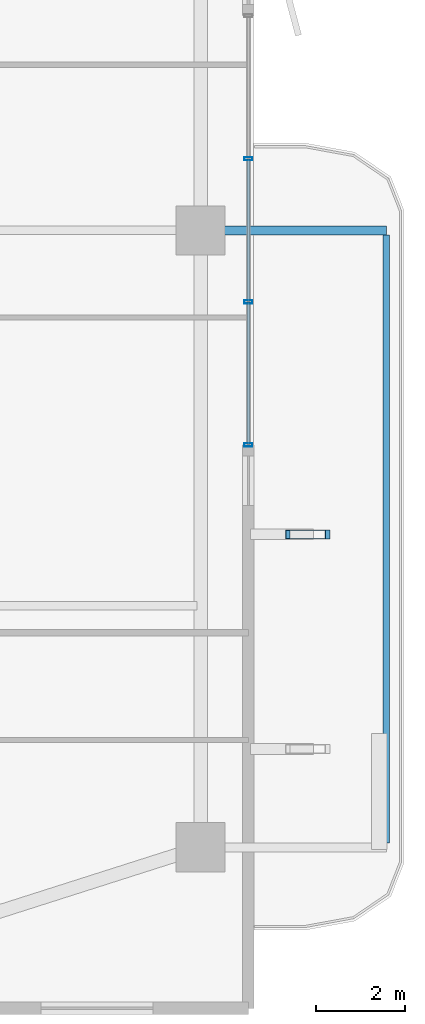
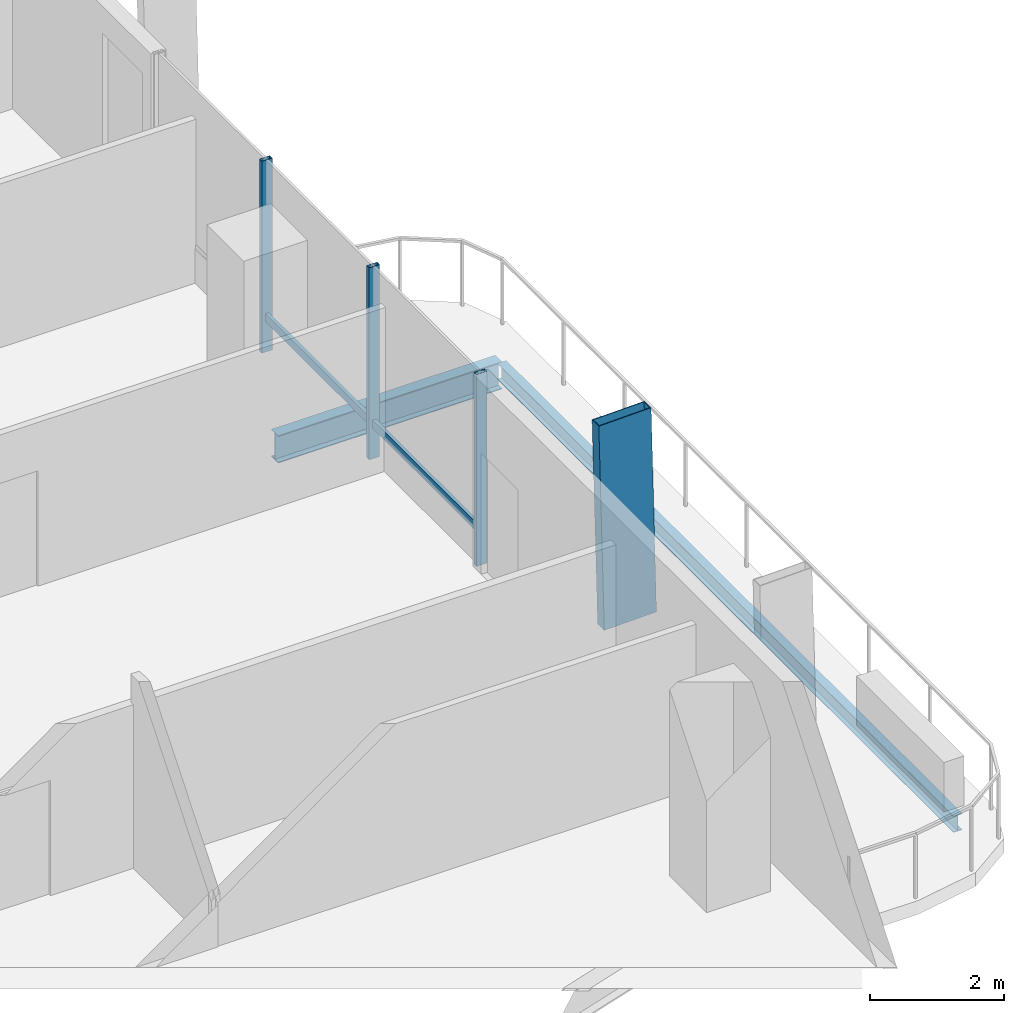
# One storey, part 10 of 25: 6 members, 2 beams, 1 element without a shape of its own.
"""IFC4 building model written with IfcOpenShell, lengths in metres."""

import ifcopenshell
import ifcopenshell.guid

model = None  # the IFC model being written
_history = None  # IfcOwnerHistory: only IFC2X3 demands one
_inside = {}  # id of a spatial element -> (the spatial element, [elements in it])
_under = {}  # id of a project, library or spatial element -> (it, [spatial elements below it])
_declared = {}  # id of a project -> (the project, [libraries it declares])
_typed = {}  # id of a type object -> (the type object, [elements of that type])
_made_of = {}  # id of a material, layer set ... -> (it, [elements and type objects made of it])


def new_model(schema):
    """Start an empty IFC model of exactly this schema.

    Asked for "IFC4X3", IfcOpenShell would pick the latest addendum, in which some entities
    have other attributes; the version numbers below select the first issue.
    IFC2X3 requires an IfcOwnerHistory on every rooted entity: one is made here for all.
    """
    global model, _history
    if schema == "IFC4X3":
        model = ifcopenshell.file(schema_version=(4, 3, 0, 0))
    else:
        model = ifcopenshell.file(schema=schema)
    _inside.clear()
    _under.clear()
    _declared.clear()
    _typed.clear()
    _made_of.clear()
    _history = None
    if model.schema == "IFC2X3":
        org = make("IfcOrganization", Name="unknown")
        user = make(
            "IfcPersonAndOrganization",
            ThePerson=make("IfcPerson", FamilyName="unknown"),
            TheOrganization=org,
        )
        app = make(
            "IfcApplication",
            ApplicationDeveloper=org,
            Version="unknown",
            ApplicationFullName="unknown",
            ApplicationIdentifier="unknown",
        )
        _history = make(
            "IfcOwnerHistory",
            OwningUser=user,
            OwningApplication=app,
            ChangeAction="ADDED",
            CreationDate=0,
        )
    return model


def make(cls, **values):
    """One entity of the class cls with the attributes given. An attribute that is None is left unset."""
    return model.create_entity(
        cls, **{name: value for name, value in values.items() if value is not None}
    )


def rooted(cls, **values):
    """An entity with a GlobalId (a new one), such as an element, a storey or a relation."""
    return make(cls, GlobalId=ifcopenshell.guid.new(), OwnerHistory=_history, **values)


def si_unit(unit_type, name, prefix=None):
    """IfcSIUnit, for example si_unit("LENGTHUNIT", "METRE", prefix="MILLI")."""
    return make("IfcSIUnit", UnitType=unit_type, Prefix=prefix, Name=name)


def assignment(units):
    """IfcUnitAssignment: the units of a project."""
    return None if units is None else make("IfcUnitAssignment", Units=units)


def point(xyz):
    """IfcCartesianPoint."""
    return None if xyz is None else make("IfcCartesianPoint", Coordinates=xyz)


def direction(xyz):
    """IfcDirection."""
    return None if xyz is None else make("IfcDirection", DirectionRatios=xyz)


def frame(location, z_axis=None, x_axis=None):
    """IfcAxis2Placement3D, a coordinate frame: its origin and axes. An axis left out is left unset."""
    return make(
        "IfcAxis2Placement3D",
        Location=point(location),
        Axis=direction(z_axis),
        RefDirection=direction(x_axis),
    )


def frame_2d(location, x_axis=None):
    """IfcAxis2Placement2D, a coordinate frame in the plane: its origin and x axis."""
    return make(
        "IfcAxis2Placement2D", Location=point(location), RefDirection=direction(x_axis)
    )


def origin():
    """The frame at (0, 0, 0) with its axes left unset."""
    return frame((0.0, 0.0, 0.0))


def origin_2d():
    """The frame at (0, 0) in the plane with its x axis left unset."""
    return frame_2d((0.0, 0.0))


def place(relative_to, where):
    """IfcLocalPlacement: puts the frame where relative to a parent placement (None: the world)."""
    return make(
        "IfcLocalPlacement", PlacementRelTo=relative_to, RelativePlacement=where
    )


def context(
    kind, dimensions, precision=None, world=None, true_north=None, identifier=None
):
    """IfcGeometricRepresentationContext, for example the 3D "Model" context."""
    return make(
        "IfcGeometricRepresentationContext",
        ContextIdentifier=identifier,
        ContextType=kind,
        CoordinateSpaceDimension=dimensions,
        Precision=precision,
        WorldCoordinateSystem=world,
        TrueNorth=true_north,
    )


def subcontext(parent, identifier, kind, view, scale=None):
    """IfcGeometricRepresentationSubContext, for example "Body" below "Model"."""
    return make(
        "IfcGeometricRepresentationSubContext",
        ContextIdentifier=identifier,
        ContextType=kind,
        ParentContext=parent,
        TargetScale=scale,
        TargetView=view,
    )


def project(units=None, contexts=None):
    """IfcProject with its units and contexts."""
    return rooted(
        "IfcProject",
        Name="project",
        RepresentationContexts=contexts,
        UnitsInContext=assignment(units),
    )


def spatial(cls, under=None, at=None, **own):
    """A site, building, storey or space (cls), placed at a placement, below another one or the project."""
    s = rooted(cls, ObjectPlacement=at, **own)
    if under is not None:
        _under.setdefault(under.id(), (under, []))[1].append(s)
    return s


def profile(cls, at=None, kind="AREA", **sizes):
    """A parametric profile (cls). Its sizes go by their IFC names, for example OverallWidth=200.0."""
    return make(cls, ProfileType=kind, Position=at, **sizes)


def hollow_rectangle(**sizes):
    """IfcRectangleHollowProfileDef."""
    return profile("IfcRectangleHollowProfileDef", **sizes)


def i_section(**sizes):
    """IfcIShapeProfileDef."""
    return profile("IfcIShapeProfileDef", **sizes)


def extrude(swept, where, along, depth):
    """IfcExtrudedAreaSolid: the profile swept, set in the frame where, extruded along a direction by depth."""
    return make(
        "IfcExtrudedAreaSolid",
        SweptArea=swept,
        Position=where,
        ExtrudedDirection=direction(along),
        Depth=depth,
    )


def shape(context_of_items, identifier, shape_type, items):
    """IfcShapeRepresentation: the items that make up one representation, for example the "Body"."""
    return make(
        "IfcShapeRepresentation",
        ContextOfItems=context_of_items,
        RepresentationIdentifier=identifier,
        RepresentationType=shape_type,
        Items=items,
    )


def material(Name=None, Category=None):
    """IfcMaterial."""
    return make("IfcMaterial", Name=Name, Category=Category)


def layer(
    of_material, thickness, ventilated=None, Name=None, Category=None, Priority=None
):
    """IfcMaterialLayer: one layer of a wall or slab, of a material (None: an air gap)."""
    return make(
        "IfcMaterialLayer",
        Material=of_material,
        LayerThickness=thickness,
        IsVentilated=ventilated,
        Name=Name,
        Category=Category,
        Priority=Priority,
    )


def layer_set(layers, Name=None):
    """IfcMaterialLayerSet."""
    return make("IfcMaterialLayerSet", MaterialLayers=layers, LayerSetName=Name)


def material_profile(
    of_material, cross_section, Name=None, Category=None, Priority=None
):
    """IfcMaterialProfile: a cross section and its material."""
    return make(
        "IfcMaterialProfile",
        Name=Name,
        Material=of_material,
        Profile=cross_section,
        Priority=Priority,
        Category=Category,
    )


def profile_set(profiles, Name=None, composite=None):
    """IfcMaterialProfileSet."""
    return make(
        "IfcMaterialProfileSet",
        Name=Name,
        MaterialProfiles=profiles,
        CompositeProfile=composite,
    )


def made_of(thing, what):
    """Note that an element or type object is made of a material, layer set ...; save() writes the relation."""
    if what is not None:
        _made_of.setdefault(what.id(), (what, []))[1].append(thing)
    return thing


def type_object(cls, material=None, **own):
    """A type object (cls), such as IfcWallType, which elements share."""
    return made_of(rooted(cls, **own), material)


def element(
    cls,
    number,
    at=None,
    inside=None,
    cuts=None,
    type_object=None,
    material=None,
    context=None,
    identifier="Body",
    shape_type=None,
    held_by="IfcProductDefinitionShape",
    body=None,
    shapes=None,
    **own,
):
    """One element of the class cls, such as IfcWall. Its Tag is "e" and its number.

    at: its placement. inside: the storey or other place that contains it. cuts: it is an
    opening in that element (IfcRelVoidsElement). A single representation is given by context,
    identifier, shape_type and body (its items); several are given by shapes. held_by: the class
    of the entity that holds the representations. save() writes the other relations.
    """
    e = rooted(cls, Tag="e%d" % number, ObjectPlacement=at, **own)
    if body is not None:
        shapes = [shape(context, identifier, shape_type, body)]
    if shapes is not None:
        e.Representation = make(held_by, Representations=shapes)
    if inside is not None:
        _inside.setdefault(inside.id(), (inside, []))[1].append(e)
    if cuts is not None:
        rooted(
            "IfcRelVoidsElement", RelatingBuildingElement=cuts, RelatedOpeningElement=e
        )
    if type_object is not None:
        _typed.setdefault(type_object.id(), (type_object, []))[1].append(e)
    return made_of(e, material)


def aggregate(whole, parts):
    """IfcRelAggregates: a whole, such as a stair, and the parts it consists of."""
    return rooted("IfcRelAggregates", RelatingObject=whole, RelatedObjects=parts)


def save(model, path):
    """Write the relations noted so far, then the file.

    IfcRelAggregates (storeys below a building ...), IfcRelContainedInSpatialStructure (elements
    in a storey), IfcRelDefinesByType, IfcRelAssociatesMaterial and IfcRelDeclares: one each for
    every whole, place, type object, material and project.
    """
    for whole, parts in _under.values():
        aggregate(whole, parts)
    for where, things in _inside.values():
        rooted(
            "IfcRelContainedInSpatialStructure",
            RelatedElements=things,
            RelatingStructure=where,
        )
    for kind, things in _typed.values():
        rooted("IfcRelDefinesByType", RelatedObjects=things, RelatingType=kind)
    for what, things in _made_of.values():
        rooted("IfcRelAssociatesMaterial", RelatedObjects=things, RelatingMaterial=what)
    for by, libraries in _declared.values():
        rooted("IfcRelDeclares", RelatingContext=by, RelatedDefinitions=libraries)
    model.write(path)


model = new_model("IFC4")

# Units and contexts
model_context = context("Model", 3, precision=1e-05, world=origin(), true_north=direction((0.0, 1.0)))
body_context = subcontext(model_context, "Body", "Model", "MODEL_VIEW")
ifc_project = project(units=[si_unit("LENGTHUNIT", "METRE"), si_unit("AREAUNIT", "SQUARE_METRE"), si_unit("VOLUMEUNIT", "CUBIC_METRE"), si_unit("PLANEANGLEUNIT", "RADIAN"), si_unit("MASSUNIT", "GRAM", prefix="KILO")], contexts=[model_context])

# Site, building, storey
site_placement = place(None, origin())
site = spatial("IfcSite", under=ifc_project, at=site_placement, CompositionType="ELEMENT")
building_placement = place(site_placement, origin())
building = spatial("IfcBuilding", under=site, at=building_placement, Name="Belovzor Exchange Tower", CompositionType="ELEMENT")
storey_placement = place(building_placement, frame((0.0, 0.0, 160.800048828125)))
storey = spatial("IfcBuildingStorey", under=building, at=storey_placement, Name="L39", CompositionType="ELEMENT", Elevation=160.800048828125)

# Beams
ifc_material_1 = material(Name="Steel S355", Category="steel")
ifc_material_profile_1 = material_profile(ifc_material_1, i_section(OverallWidth=0.199951171875, OverallDepth=0.5, WebThickness=0.01025390625, FlangeThickness=0.01611328125, at=origin_2d()))
ifc_profile_set_1 = profile_set([ifc_material_profile_1], Name="Steel S355")
beam_type_1 = type_object("IfcBeamType", Name="Planted Balcony Cantilever Beam IPE 500", PredefinedType="BEAM", material=ifc_profile_set_1)
beam_1_placement = place(storey_placement, frame((52.202880859375, 28.800048828125, -0.505126953125), z_axis=(1.0, 0.0, 0.0), x_axis=(0.0, 1.0, 0.0)))
element("IfcBeam", 1, at=beam_1_placement, inside=storey, type_object=beam_type_1, Name="BC-500 Planted Balcony Cantilever Beam IPE 500", PredefinedType="BEAM", context=body_context, shape_type="SweptSolid", body=[
    extrude(i_section(OverallWidth=0.199951171875, OverallDepth=0.5, WebThickness=0.01025390625, FlangeThickness=0.01611328125, at=origin_2d()), origin(), (0.0, 0.0, 1.0), 3.85009765625),
])
ifc_material_2 = material(Name="Steel S355", Category="steel")
ifc_material_profile_2 = material_profile(ifc_material_2, i_section(OverallWidth=0.14990234375, OverallDepth=0.300048828125, WebThickness=0.007080078125, FlangeThickness=0.0107421875, at=origin_2d()))
ifc_profile_set_2 = profile_set([ifc_material_profile_2], Name="Steel S355")
beam_type_2 = type_object("IfcBeamType", Name="Planted Balcony Fascia Edge Beam IPE 300", PredefinedType="BEAM", material=ifc_profile_set_2)
beam_2_placement = place(storey_placement, frame((56.052978515625, 15.10009765625, -0.405029296875), z_axis=(0.0, 1.0, 0.0), x_axis=(-1.0, 0.0, 0.0)))
element("IfcBeam", 2, at=beam_2_placement, inside=storey, type_object=beam_type_2, Name="BC-300 Planted Balcony Fascia Edge Beam IPE 300", PredefinedType="BEAM", context=body_context, shape_type="SweptSolid", body=[
    extrude(i_section(OverallWidth=0.14990234375, OverallDepth=0.300048828125, WebThickness=0.007080078125, FlangeThickness=0.0107421875, at=origin_2d()), origin(), (0.0, 0.0, 1.0), 13.599853515625),
])

# Member
ifc_material_3 = material(Name="Extruded Architectural Terracotta on Steel S355 Carrier", Category="masonry")
ifc_material_profile_3 = material_profile(ifc_material_3, hollow_rectangle(XDim=0.199951171875, YDim=0.89990234375, WallThickness=0.011962890625, at=origin_2d()))
ifc_profile_set_3 = profile_set([ifc_material_profile_3], Name="Extruded Architectural Terracotta on Steel S355 Carrier")
member_type_1 = type_object("IfcMemberType", Name="Sweeping Terracotta Baguette Fin Assembly 1250", PredefinedType="USERDEFINED", material=ifc_profile_set_3)
member_1_placement = place(storey_placement, frame((54.341064453125, 22.0, -0.255126953125), z_axis=(-0.025057234181, 0.0, 0.999686018215), x_axis=(0.0, -1.0, 0.0)))
element("IfcMember", 3, at=member_1_placement, inside=storey, type_object=member_type_1, Name="FIN-TC125 Terracotta Facade Fin L39 E2", ObjectType="FIN", PredefinedType="USERDEFINED", context=body_context, shape_type="SweptSolid", body=[
    extrude(hollow_rectangle(XDim=0.199951171875, YDim=0.89990234375, WallThickness=0.011962890625, at=origin_2d()), origin(), (0.0, 0.0, 1.0), 3.751220703125),
])

# Curtain wall, members
ifc_material_4 = material(Name="Anodised Aluminium Framing", Category="aluminium")
ifc_layer = layer(ifc_material_4, 0.179931640625)
ifc_layer_set = layer_set([ifc_layer], Name="Anodised Aluminium Framing")
curtain_wall_type = type_object("IfcCurtainWallType", Name="Recessed Loggia Low-Iron Triple-Glazed Curtain Wall", PredefinedType="NOTDEFINED", material=ifc_layer_set)
curtain_wall_placement = place(storey_placement, origin())
curtain_wall = element("IfcCurtainWall", 4, at=curtain_wall_placement, inside=storey, type_object=curtain_wall_type, Name="CW3 Recessed Loggia Low-Iron Triple-Glazed Curtain Wall L39", PredefinedType="NOTDEFINED")
ifc_material_5 = material(Name="Steel S355", Category="steel")
ifc_material_profile_4 = material_profile(ifc_material_5, hollow_rectangle(XDim=0.074951171875, YDim=0.179931640625, WallThickness=0.0048828125, at=origin_2d()))
ifc_profile_set_4 = profile_set([ifc_material_profile_4], Name="Steel S355")
member_type_2 = type_object("IfcMemberType", Name="Thermally Broken Curtain Wall Mullion 180x75", PredefinedType="MULLION", material=ifc_profile_set_4)
member_2_placement = place(storey_placement, frame((52.969970703125, 30.39990234375, 0.0), z_axis=(0.0, 0.0, 1.0), x_axis=(0.0, -1.0, 0.0)))
member_2 = element("IfcMember", 5, at=member_2_placement, type_object=member_type_2, Name="CW-M180 Curtain Wall Mullion 2", PredefinedType="MULLION", context=body_context, shape_type="SweptSolid", body=[
    extrude(hollow_rectangle(XDim=0.074951171875, YDim=0.179931640625, WallThickness=0.0048828125, at=origin_2d()), origin(), (0.0, 0.0, 1.0), 3.494873046875),
])
member_3_placement = place(storey_placement, frame((52.969970703125, 27.199951171875, 0.0), z_axis=(0.0, 0.0, 1.0), x_axis=(0.0, -1.0, 0.0)))
member_3 = element("IfcMember", 6, at=member_3_placement, type_object=member_type_2, Name="CW-M180 Curtain Wall Mullion 3", PredefinedType="MULLION", context=body_context, shape_type="SweptSolid", body=[
    extrude(hollow_rectangle(XDim=0.074951171875, YDim=0.179931640625, WallThickness=0.0048828125, at=origin_2d()), origin(), (0.0, 0.0, 1.0), 3.494873046875),
])
member_4_placement = place(storey_placement, frame((52.969970703125, 24.0, 0.0), z_axis=(0.0, 0.0, 1.0), x_axis=(0.0, -1.0, 0.0)))
member_4 = element("IfcMember", 7, at=member_4_placement, type_object=member_type_2, Name="CW-M180 Curtain Wall Mullion 4", PredefinedType="MULLION", context=body_context, shape_type="SweptSolid", body=[
    extrude(hollow_rectangle(XDim=0.074951171875, YDim=0.179931640625, WallThickness=0.0048828125, at=origin_2d()), origin(), (0.0, 0.0, 1.0), 3.494873046875),
])
ifc_material_6 = material(Name="Steel S355", Category="steel")
ifc_material_profile_5 = material_profile(ifc_material_6, hollow_rectangle(XDim=0.06005859375, YDim=0.14990234375, WallThickness=0.00390625, at=origin_2d()))
ifc_profile_set_5 = profile_set([ifc_material_profile_5], Name="Steel S355")
member_type_3 = type_object("IfcMemberType", Name="Thermally Broken Curtain Wall Transom 150x60", PredefinedType="USERDEFINED", material=ifc_profile_set_5)
member_5_placement = place(storey_placement, frame((52.969970703125, 30.39208984375, 0.62890625), z_axis=(0.0, -1.0, 0.0), x_axis=(1.0, 0.0, 0.0)))
member_5 = element("IfcMember", 8, at=member_5_placement, type_object=member_type_3, Name="CW-T150 Curtain Wall Transom 2", ObjectType="TRANSOM", PredefinedType="USERDEFINED", context=body_context, shape_type="SweptSolid", body=[
    extrude(hollow_rectangle(XDim=0.06005859375, YDim=0.14990234375, WallThickness=0.00390625, at=origin_2d()), origin(), (0.0, 0.0, 1.0), 3.18408203125),
])
member_6_placement = place(storey_placement, frame((52.969970703125, 27.19189453125, 0.62890625), z_axis=(0.0, -1.0, 0.0), x_axis=(1.0, 0.0, 0.0)))
member_6 = element("IfcMember", 9, at=member_6_placement, type_object=member_type_3, Name="CW-T150 Curtain Wall Transom 3", ObjectType="TRANSOM", PredefinedType="USERDEFINED", context=body_context, shape_type="SweptSolid", body=[
    extrude(hollow_rectangle(XDim=0.06005859375, YDim=0.14990234375, WallThickness=0.00390625, at=origin_2d()), origin(), (0.0, 0.0, 1.0), 3.183837890625),
])
aggregate(curtain_wall, [member_2, member_3, member_4, member_5, member_6])

save(model, "model.ifc")
